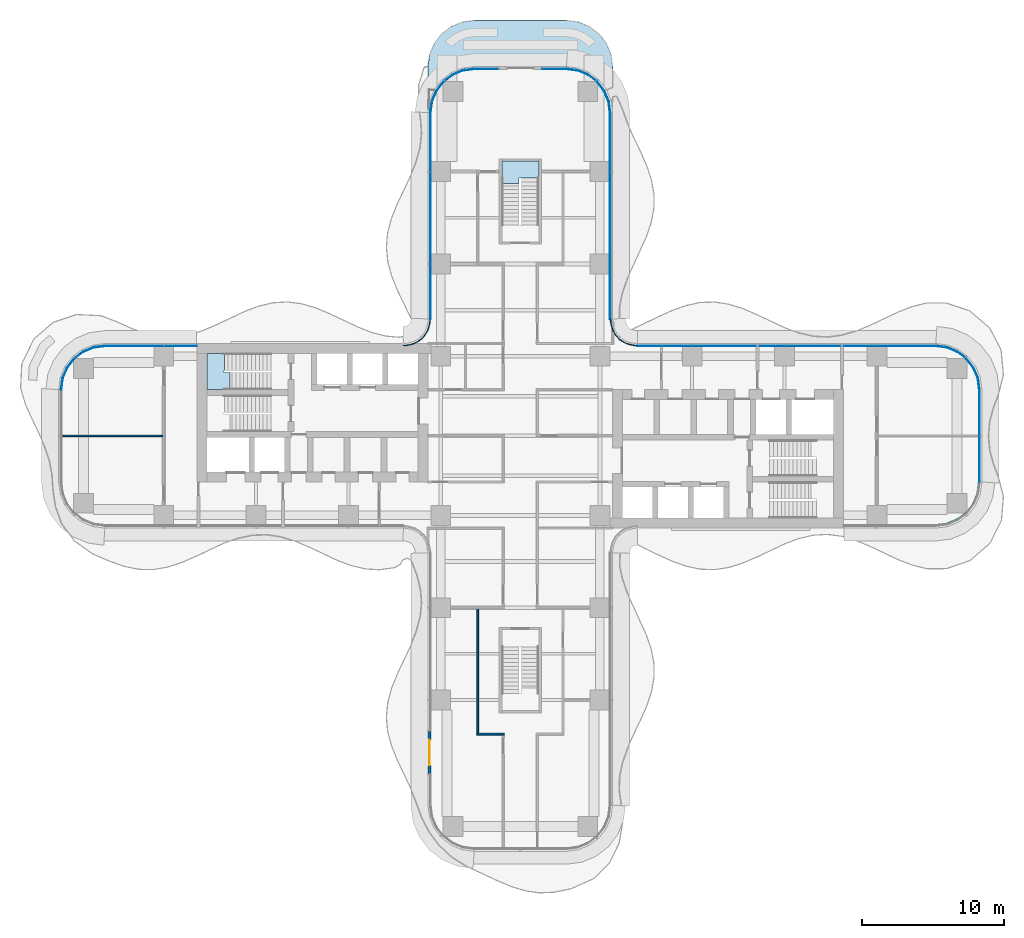
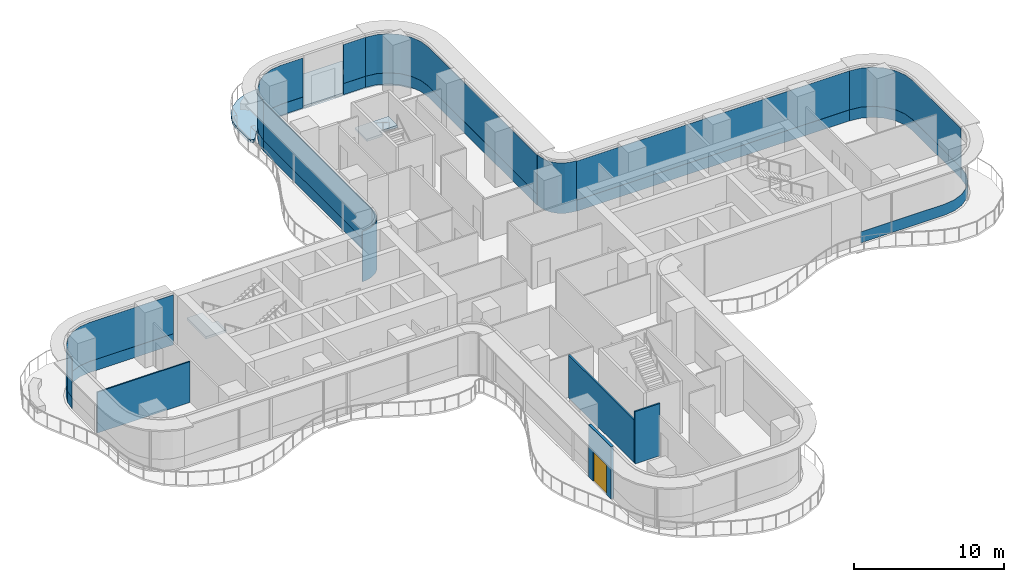
# One storey, part 16 of 22: 17 plates, 4 walls, 3 slabs, 1 door, 1 opening, 12 elements without a shape of their own.
"""IFC4 building model written with IfcOpenShell, lengths in metres."""

from ifc_helpers import new_model, si_unit, direction, frame, frame_2d, origin, place, context, subcontext, project, spatial, polyline, rectangle, outline, extrude, source, transform, mapped, material, layer, layer_set, type_object, element, fill, aggregate, save


model = new_model("IFC4")

# Units and contexts
model_context = context("Model", 3, precision=1e-05, world=origin(), true_north=direction((0.0, 1.0)))
body_context = subcontext(model_context, "Body", "Model", "MODEL_VIEW")
ifc_project = project(units=[si_unit("LENGTHUNIT", "METRE"), si_unit("AREAUNIT", "SQUARE_METRE"), si_unit("VOLUMEUNIT", "CUBIC_METRE"), si_unit("PLANEANGLEUNIT", "RADIAN"), si_unit("MASSUNIT", "GRAM", prefix="KILO")], contexts=[model_context])

# Site, building, storey
site_placement = place(None, origin())
site = spatial("IfcSite", under=ifc_project, at=site_placement, CompositionType="ELEMENT")
building_placement = place(site_placement, origin())
building = spatial("IfcBuilding", under=site, at=building_placement, Name="Trellis Farm Tower", CompositionType="ELEMENT")
storey_placement = place(building_placement, frame((0.0, 0.0, 61.0)))
storey = spatial("IfcBuildingStorey", under=building, at=storey_placement, Name="L12", CompositionType="ELEMENT", Elevation=61.0)

# Slab
ifc_material_1 = material(Name="Concrete C40/50", Category="concrete")
ifc_layer_1 = layer(ifc_material_1, 0.25)
ifc_layer_set_1 = layer_set([ifc_layer_1], Name="Terrace slab on composite deck 250")
slab_type_1 = type_object("IfcSlabType", Name="Terrace slab on composite deck 250", PredefinedType="FLOOR", material=ifc_layer_set_1)
slab_1_placement = place(storey_placement, frame((0.0, 0.0, -0.25)))
element("IfcSlab", 1, at=slab_1_placement, inside=storey, type_object=slab_type_1, Name="Terrace slab", PredefinedType="FLOOR", context=body_context, shape_type="SweptSolid", body=[
    extrude(outline(polyline([(-6.4189453125, 24.359619140625), (-6.5, 24.5439453125), (-6.5, 25.983642578125), (-6.497802734375, 26.01611328125), (-6.3935546875, 26.80859375), (-6.376708984375, 26.87158203125), (-6.0771484375, 27.594482421875), (-6.04443359375, 27.651123046875), (-5.568115234375, 28.27197265625), (-5.52197265625, 28.318115234375), (-4.901123046875, 28.79443359375), (-4.844482421875, 28.8271484375), (-4.12158203125, 29.126708984375), (-4.05859375, 29.1435546875), (-3.26611328125, 29.247802734375), (-3.233642578125, 29.25), (3.233642578125, 29.25), (3.26611328125, 29.247802734375), (4.05859375, 29.1435546875), (4.12158203125, 29.126708984375), (4.844482421875, 28.8271484375), (4.901123046875, 28.79443359375), (5.52197265625, 28.318115234375), (5.568115234375, 28.27197265625), (6.04443359375, 27.651123046875), (6.0771484375, 27.594482421875), (6.376708984375, 26.87158203125), (6.3935546875, 26.80859375), (6.497802734375, 26.01611328125), (6.5, 25.983642578125), (6.5, 24.5439453125), (6.4189453125, 24.359619140625), (6.228271484375, 24.294921875), (6.052978515625, 24.39111328125), (5.548583984375, 25.048583984375), (4.875244140625, 25.565185546875), (4.09130859375, 25.889892578125), (3.25, 26.00048828125), (-3.25, 26.00048828125), (-4.09130859375, 25.889892578125), (-4.875244140625, 25.565185546875), (-5.548583984375, 25.048583984375), (-6.052978515625, 24.39111328125), (-6.228271484375, 24.294921875), (-6.4189453125, 24.359619140625)])), origin(), (0.0, 0.0, 1.0), 0.25),
])

# Stair, slab
ifc_material_2 = material(Name="Concrete C50/60", Category="concrete")
stair_type = type_object("IfcStairType", Name="CORE EXIT STAIR 26 RISERS 173 MM", PredefinedType="HALF_TURN_STAIR", material=ifc_material_2)
placement_1 = place(storey_placement, origin())
stair_1 = element("IfcStair", 2, at=placement_1, inside=storey, type_object=stair_type, Name="Exit stair N", PredefinedType="HALF_TURN_STAIR")
ifc_layer_2 = layer(ifc_material_2, 0.18994140625)
ifc_layer_set_2 = layer_set([ifc_layer_2], Name="CORE STAIR LANDING 190 CONCRETE C50/60")
slab_type_2 = type_object("IfcSlabType", Name="CORE STAIR LANDING 190 CONCRETE C50/60", PredefinedType="LANDING", material=ifc_layer_set_2)
shared_shape_1 = source(origin(), body_context, "Body", "SweptSolid", [
    extrude(outline(polyline([(-0.10009765625, 17.753173828125), (-1.300048828125, 17.753173828125), (-1.300048828125, 18.14990234375), (-1.300048828125, 19.35009765625), (1.300048828125, 19.35009765625), (1.300048828125, 18.14990234375), (1.300048828125, 18.139892578125), (0.10009765625, 18.139892578125), (0.10009765625, 18.14990234375), (-0.10009765625, 18.14990234375), (-0.10009765625, 17.753173828125)])), origin(), (0.0, 0.0, 1.0), 0.18994140625),
])
placement_2 = place(storey_placement, frame((0.0, 0.0, 2.06005859375)))
slab_2 = element("IfcSlab", 3, at=placement_2, type_object=slab_type_2, Name="STN landing 1", PredefinedType="LANDING", context=body_context, shape_type="MappedRepresentation", body=[
    mapped(shared_shape_1, transform((0.0, 0.0, 0.0))),
])
aggregate(stair_1, [slab_2])

stair_2 = element("IfcStair", 4, at=placement_1, inside=storey, type_object=stair_type, Name="Exit stair W1", PredefinedType="HALF_TURN_STAIR")
shared_shape_2 = source(origin(), body_context, "Body", "SweptSolid", [
    extrude(outline(polyline([(-20.453125, 4.449951171875), (-20.453125, 3.25), (-20.85009765625, 3.25), (-22.050048828125, 3.25), (-22.050048828125, 5.800048828125), (-20.85009765625, 5.800048828125), (-20.840087890625, 5.800048828125), (-20.840087890625, 4.60009765625), (-20.85009765625, 4.60009765625), (-20.85009765625, 4.449951171875), (-20.453125, 4.449951171875)])), origin(), (0.0, 0.0, 1.0), 0.18994140625),
])
slab_3 = element("IfcSlab", 5, at=placement_2, type_object=slab_type_2, Name="STW1 landing 1", PredefinedType="LANDING", context=body_context, shape_type="MappedRepresentation", body=[
    mapped(shared_shape_2, transform((0.0, 0.0, 0.0))),
])
aggregate(stair_2, [slab_3])

# Curtain wall, plate
ifc_material_3 = material(Name="Aluminium and glass curtain wall", Category="aluminium")
ifc_layer_3 = layer(ifc_material_3, 0.18994140625)
ifc_layer_set_3 = layer_set([ifc_layer_3], Name="RIBBON CURTAIN WALL CW1")
curtain_wall_type_1 = type_object("IfcCurtainWallType", Name="RIBBON CURTAIN WALL CW1", PredefinedType="NOTDEFINED", material=ifc_layer_set_3)
curtain_wall_1 = element("IfcCurtainWall", 6, at=placement_1, inside=storey, type_object=curtain_wall_type_1, Name="CW1 006", PredefinedType="NOTDEFINED")
ifc_material_4 = material(Name="Sandstone faced insulated panel", Category="masonry")
ifc_layer_4 = layer(ifc_material_4, 0.050048828125)
ifc_layer_set_4 = layer_set([ifc_layer_4], Name="CW1 STONE SPANDREL PANEL 50")
plate_type_1 = type_object("IfcPlateType", Name="CW1 STONE SPANDREL PANEL 50", PredefinedType="CURTAIN_PANEL", material=ifc_layer_set_4)
shared_shape_3 = source(origin(), body_context, "Body", "SweptSolid", [
    extrude(outline(polyline([(22.780029296875, -6.35009765625), (29.240234375, -6.35009765625), (30.052001953125, -6.2431640625), (30.79931640625, -5.93359375), (31.441162109375, -5.441162109375), (31.93359375, -4.79931640625), (32.2431640625, -4.052001953125), (32.35009765625, -3.240234375), (32.300048828125, -3.23681640625), (32.1943359375, -4.0390625), (31.889892578125, -4.774169921875), (31.405517578125, -5.405517578125), (30.774169921875, -5.889892578125), (30.0390625, -6.1943359375), (29.23681640625, -6.300048828125), (22.780029296875, -6.300048828125), (22.780029296875, -6.35009765625)])), origin(), (0.0, 0.0, 1.0), 0.89990234375),
])
plate_1 = element("IfcPlate", 7, at=placement_1, type_object=plate_type_1, Name="PS1 006", PredefinedType="CURTAIN_PANEL", context=body_context, shape_type="MappedRepresentation", body=[
    mapped(shared_shape_3, transform((0.0, 0.0, 0.0))),
])
aggregate(curtain_wall_1, [plate_1])

# Curtain wall, plates
curtain_wall_2 = element("IfcCurtainWall", 8, at=placement_1, inside=storey, type_object=curtain_wall_type_1, Name="CW1 008", PredefinedType="NOTDEFINED")
ifc_material_5 = material(Name="Clear insulated glass", Category="glass")
ifc_layer_5 = layer(ifc_material_5, 0.0400390625)
ifc_layer_set_5 = layer_set([ifc_layer_5], Name="CW1 GLASS PANEL 40")
plate_type_2 = type_object("IfcPlateType", Name="CW1 GLASS PANEL 40", PredefinedType="CURTAIN_PANEL", material=ifc_layer_set_5)
shared_shape_4 = source(origin(), body_context, "Body", "SweptSolid", [
    extrude(outline(polyline([(29.240234375, 6.35009765625), (8.2265625, 6.35009765625), (8.22509765625, 6.31005859375), (29.237548828125, 6.31005859375), (29.240234375, 6.35009765625)])), origin(), (0.0, 0.0, 1.0), 3.170166015625),
])
placement_3 = place(storey_placement, frame((0.0, 0.0, 0.89990234375)))
plate_2 = element("IfcPlate", 9, at=placement_3, type_object=plate_type_2, Name="PL1 008", PredefinedType="CURTAIN_PANEL", context=body_context, shape_type="MappedRepresentation", body=[
    mapped(shared_shape_4, transform((0.0, 0.0, 0.0))),
])
shared_shape_5 = source(origin(), body_context, "Body", "SweptSolid", [
    extrude(outline(polyline([(29.240234375, 6.35009765625), (8.2265625, 6.35009765625), (8.224853515625, 6.300048828125), (29.23681640625, 6.300048828125), (29.240234375, 6.35009765625)])), origin(), (0.0, 0.0, 1.0), 0.89990234375),
])
plate_3 = element("IfcPlate", 10, at=placement_1, type_object=plate_type_1, Name="PS1 008", PredefinedType="CURTAIN_PANEL", context=body_context, shape_type="MappedRepresentation", body=[
    mapped(shared_shape_5, transform((0.0, 0.0, 0.0))),
])
aggregate(curtain_wall_2, [plate_2, plate_3])

# Curtain wall, plate
ifc_layer_6 = layer(ifc_material_3, 0.166015625)
ifc_layer_set_6 = layer_set([ifc_layer_6], Name="WINTER GARDEN CURTAIN WALL CW3")
curtain_wall_type_2 = type_object("IfcCurtainWallType", Name="WINTER GARDEN CURTAIN WALL CW3", PredefinedType="NOTDEFINED", material=ifc_layer_set_6)
curtain_wall_3 = element("IfcCurtainWall", 11, at=placement_1, inside=storey, type_object=curtain_wall_type_2, Name="CW3 003", PredefinedType="NOTDEFINED")
ifc_layer_7 = layer(ifc_material_5, 0.0458984375)
ifc_layer_set_7 = layer_set([ifc_layer_7], Name="CW3 GLASS PANEL 46")
plate_type_3 = type_object("IfcPlateType", Name="CW3 GLASS PANEL 46", PredefinedType="CURTAIN_PANEL", material=ifc_layer_set_7)
shared_shape_6 = source(origin(), body_context, "Body", "SweptSolid", [
    extrude(outline(polyline([(8.2275390625, 6.3798828125), (8.0078125, 6.394287109375), (7.89208984375, 6.40966796875), (7.462158203125, 6.52490234375), (7.070556640625, 6.7509765625), (6.7509765625, 7.070556640625), (6.52490234375, 7.462158203125), (6.40966796875, 7.89208984375), (6.394287109375, 8.0078125), (6.3798828125, 8.2275390625), (6.333984375, 8.22607421875), (6.3486328125, 8.003173828125), (6.364501953125, 7.883056640625), (6.48193359375, 7.4443359375), (6.714111328125, 7.04248046875), (7.04248046875, 6.714111328125), (7.4443359375, 6.48193359375), (7.883056640625, 6.364501953125), (8.003173828125, 6.3486328125), (8.22607421875, 6.333984375), (8.2275390625, 6.3798828125)])), origin(), (0.0, 0.0, 1.0), 4.10009765625),
])
plate_4 = element("IfcPlate", 12, at=placement_1, type_object=plate_type_3, Name="PL3 003", PredefinedType="CURTAIN_PANEL", context=body_context, shape_type="MappedRepresentation", body=[
    mapped(shared_shape_6, transform((0.0, 0.0, 0.0))),
])
aggregate(curtain_wall_3, [plate_4])

curtain_wall_4 = element("IfcCurtainWall", 13, at=placement_1, inside=storey, type_object=curtain_wall_type_2, Name="CW3 004", PredefinedType="NOTDEFINED")
shared_shape_7 = source(origin(), body_context, "Body", "SweptSolid", [
    extrude(outline(polyline([(-6.3798828125, 8.2275390625), (-6.394287109375, 8.0078125), (-6.40966796875, 7.89208984375), (-6.52490234375, 7.462158203125), (-6.7509765625, 7.070556640625), (-7.070556640625, 6.7509765625), (-7.462158203125, 6.52490234375), (-7.89208984375, 6.40966796875), (-8.0078125, 6.394287109375), (-8.2275390625, 6.3798828125), (-8.22607421875, 6.333984375), (-8.003173828125, 6.3486328125), (-7.883056640625, 6.364501953125), (-7.4443359375, 6.48193359375), (-7.04248046875, 6.714111328125), (-6.714111328125, 7.04248046875), (-6.48193359375, 7.4443359375), (-6.364501953125, 7.883056640625), (-6.3486328125, 8.003173828125), (-6.333984375, 8.22607421875), (-6.3798828125, 8.2275390625)])), origin(), (0.0, 0.0, 1.0), 4.10009765625),
])
plate_5 = element("IfcPlate", 14, at=placement_1, type_object=plate_type_3, Name="PL3 004", PredefinedType="CURTAIN_PANEL", context=body_context, shape_type="MappedRepresentation", body=[
    mapped(shared_shape_7, transform((0.0, 0.0, 0.0))),
])
aggregate(curtain_wall_4, [plate_5])

# Curtain wall, plates
curtain_wall_5 = element("IfcCurtainWall", 15, at=placement_1, inside=storey, type_object=curtain_wall_type_1, Name="CW1 013", PredefinedType="NOTDEFINED")
shared_shape_8 = source(origin(), body_context, "Body", "SweptSolid", [
    extrude(outline(polyline([(-22.780029296875, 6.35009765625), (-29.240234375, 6.35009765625), (-30.052001953125, 6.2431640625), (-30.79931640625, 5.93359375), (-31.441162109375, 5.441162109375), (-31.93359375, 4.79931640625), (-32.2431640625, 4.052001953125), (-32.35009765625, 3.240234375), (-32.31005859375, 3.237548828125), (-32.2041015625, 4.04150390625), (-31.898681640625, 4.779296875), (-31.41259765625, 5.41259765625), (-30.779296875, 5.898681640625), (-30.04150390625, 6.2041015625), (-29.237548828125, 6.31005859375), (-22.780029296875, 6.31005859375), (-22.780029296875, 6.35009765625)])), origin(), (0.0, 0.0, 1.0), 3.170166015625),
])
plate_6 = element("IfcPlate", 16, at=placement_3, type_object=plate_type_2, Name="PL1 013", PredefinedType="CURTAIN_PANEL", context=body_context, shape_type="MappedRepresentation", body=[
    mapped(shared_shape_8, transform((0.0, 0.0, 0.0))),
])
shared_shape_9 = source(origin(), body_context, "Body", "SweptSolid", [
    extrude(outline(polyline([(-22.780029296875, 6.35009765625), (-29.240234375, 6.35009765625), (-30.052001953125, 6.2431640625), (-30.79931640625, 5.93359375), (-31.441162109375, 5.441162109375), (-31.93359375, 4.79931640625), (-32.2431640625, 4.052001953125), (-32.35009765625, 3.240234375), (-32.300048828125, 3.23681640625), (-32.1943359375, 4.0390625), (-31.889892578125, 4.774169921875), (-31.405517578125, 5.405517578125), (-30.774169921875, 5.889892578125), (-30.0390625, 6.1943359375), (-29.23681640625, 6.300048828125), (-22.780029296875, 6.300048828125), (-22.780029296875, 6.35009765625)])), origin(), (0.0, 0.0, 1.0), 0.89990234375),
])
plate_7 = element("IfcPlate", 17, at=placement_1, type_object=plate_type_1, Name="PS1 013", PredefinedType="CURTAIN_PANEL", context=body_context, shape_type="MappedRepresentation", body=[
    mapped(shared_shape_9, transform((0.0, 0.0, 0.0))),
])
aggregate(curtain_wall_5, [plate_6, plate_7])

curtain_wall_6 = element("IfcCurtainWall", 18, at=placement_1, inside=storey, type_object=curtain_wall_type_1, Name="CW1 007", PredefinedType="NOTDEFINED")
shared_shape_10 = source(origin(), body_context, "Body", "SweptSolid", [
    extrude(outline(polyline([(32.35009765625, -3.240234375), (32.35009765625, 3.240234375), (32.2431640625, 4.052001953125), (31.93359375, 4.79931640625), (31.441162109375, 5.441162109375), (30.79931640625, 5.93359375), (30.052001953125, 6.2431640625), (29.240234375, 6.35009765625), (29.237548828125, 6.31005859375), (30.04150390625, 6.2041015625), (30.779296875, 5.898681640625), (31.41259765625, 5.41259765625), (31.898681640625, 4.779296875), (32.2041015625, 4.04150390625), (32.31005859375, 3.237548828125), (32.31005859375, -3.237548828125), (32.35009765625, -3.240234375)])), origin(), (0.0, 0.0, 1.0), 3.170166015625),
])
plate_8 = element("IfcPlate", 19, at=placement_3, type_object=plate_type_2, Name="PL1 007", PredefinedType="CURTAIN_PANEL", context=body_context, shape_type="MappedRepresentation", body=[
    mapped(shared_shape_10, transform((0.0, 0.0, 0.0))),
])
shared_shape_11 = source(origin(), body_context, "Body", "SweptSolid", [
    extrude(outline(polyline([(32.35009765625, -3.240234375), (32.35009765625, 3.240234375), (32.2431640625, 4.052001953125), (31.93359375, 4.79931640625), (31.441162109375, 5.441162109375), (30.79931640625, 5.93359375), (30.052001953125, 6.2431640625), (29.240234375, 6.35009765625), (29.23681640625, 6.300048828125), (30.0390625, 6.1943359375), (30.774169921875, 5.889892578125), (31.405517578125, 5.405517578125), (31.889892578125, 4.774169921875), (32.1943359375, 4.0390625), (32.300048828125, 3.23681640625), (32.300048828125, -3.23681640625), (32.35009765625, -3.240234375)])), origin(), (0.0, 0.0, 1.0), 0.89990234375),
])
plate_9 = element("IfcPlate", 20, at=placement_1, type_object=plate_type_1, Name="PS1 007", PredefinedType="CURTAIN_PANEL", context=body_context, shape_type="MappedRepresentation", body=[
    mapped(shared_shape_11, transform((0.0, 0.0, 0.0))),
])
aggregate(curtain_wall_6, [plate_8, plate_9])

curtain_wall_7 = element("IfcCurtainWall", 21, at=placement_1, inside=storey, type_object=curtain_wall_type_1, Name="CW1 009", PredefinedType="NOTDEFINED")
shared_shape_12 = source(origin(), body_context, "Body", "SweptSolid", [
    extrude(outline(polyline([(6.35009765625, 8.2265625), (6.35009765625, 22.740234375), (6.2431640625, 23.552001953125), (5.93359375, 24.29931640625), (5.441162109375, 24.941162109375), (4.79931640625, 25.43359375), (4.052001953125, 25.7431640625), (3.240234375, 25.85009765625), (3.237548828125, 25.81005859375), (4.04150390625, 25.7041015625), (4.779296875, 25.398681640625), (5.41259765625, 24.91259765625), (5.898681640625, 24.279296875), (6.2041015625, 23.54150390625), (6.31005859375, 22.737548828125), (6.31005859375, 8.22509765625), (6.35009765625, 8.2265625)])), origin(), (0.0, 0.0, 1.0), 3.170166015625),
])
plate_10 = element("IfcPlate", 22, at=placement_3, type_object=plate_type_2, Name="PL1 009", PredefinedType="CURTAIN_PANEL", context=body_context, shape_type="MappedRepresentation", body=[
    mapped(shared_shape_12, transform((0.0, 0.0, 0.0))),
])
shared_shape_13 = source(origin(), body_context, "Body", "SweptSolid", [
    extrude(outline(polyline([(6.35009765625, 8.2265625), (6.35009765625, 22.740234375), (6.2431640625, 23.552001953125), (5.93359375, 24.29931640625), (5.441162109375, 24.941162109375), (4.79931640625, 25.43359375), (4.052001953125, 25.7431640625), (3.240234375, 25.85009765625), (3.23681640625, 25.800048828125), (4.0390625, 25.6943359375), (4.774169921875, 25.389892578125), (5.405517578125, 24.905517578125), (5.889892578125, 24.274169921875), (6.1943359375, 23.5390625), (6.300048828125, 22.73681640625), (6.300048828125, 8.224853515625), (6.35009765625, 8.2265625)])), origin(), (0.0, 0.0, 1.0), 0.89990234375),
])
plate_11 = element("IfcPlate", 23, at=placement_1, type_object=plate_type_1, Name="PS1 009", PredefinedType="CURTAIN_PANEL", context=body_context, shape_type="MappedRepresentation", body=[
    mapped(shared_shape_13, transform((0.0, 0.0, 0.0))),
])
aggregate(curtain_wall_7, [plate_10, plate_11])

curtain_wall_8 = element("IfcCurtainWall", 24, at=placement_1, inside=storey, type_object=curtain_wall_type_1, Name="CW1 012", PredefinedType="NOTDEFINED")
shared_shape_14 = source(origin(), body_context, "Body", "SweptSolid", [
    extrude(outline(polyline([(-6.35009765625, 22.740234375), (-6.35009765625, 8.2265625), (-6.31005859375, 8.22509765625), (-6.31005859375, 22.737548828125), (-6.35009765625, 22.740234375)])), origin(), (0.0, 0.0, 1.0), 3.170166015625),
])
plate_12 = element("IfcPlate", 25, at=placement_3, type_object=plate_type_2, Name="PL1 012", PredefinedType="CURTAIN_PANEL", context=body_context, shape_type="MappedRepresentation", body=[
    mapped(shared_shape_14, transform((0.0, 0.0, 0.0))),
])
shared_shape_15 = source(origin(), body_context, "Body", "SweptSolid", [
    extrude(outline(polyline([(-6.35009765625, 22.740234375), (-6.35009765625, 8.2265625), (-6.300048828125, 8.224853515625), (-6.300048828125, 22.73681640625), (-6.35009765625, 22.740234375)])), origin(), (0.0, 0.0, 1.0), 0.89990234375),
])
plate_13 = element("IfcPlate", 26, at=placement_1, type_object=plate_type_1, Name="PS1 012", PredefinedType="CURTAIN_PANEL", context=body_context, shape_type="MappedRepresentation", body=[
    mapped(shared_shape_15, transform((0.0, 0.0, 0.0))),
])
aggregate(curtain_wall_8, [plate_12, plate_13])

curtain_wall_9 = element("IfcCurtainWall", 27, at=placement_1, inside=storey, type_object=curtain_wall_type_1, Name="CW1 010", PredefinedType="NOTDEFINED")
shared_shape_16 = source(origin(), body_context, "Body", "SweptSolid", [
    extrude(outline(polyline([(3.240234375, 25.85009765625), (1.56005859375, 25.85009765625), (1.56005859375, 25.81005859375), (3.237548828125, 25.81005859375), (3.240234375, 25.85009765625)])), origin(), (0.0, 0.0, 1.0), 3.170166015625),
])
plate_14 = element("IfcPlate", 28, at=placement_3, type_object=plate_type_2, Name="PL1 010", PredefinedType="CURTAIN_PANEL", context=body_context, shape_type="MappedRepresentation", body=[
    mapped(shared_shape_16, transform((0.0, 0.0, 0.0))),
])
shared_shape_17 = source(origin(), body_context, "Body", "SweptSolid", [
    extrude(outline(polyline([(3.240234375, 25.85009765625), (1.56005859375, 25.85009765625), (1.56005859375, 25.800048828125), (3.23681640625, 25.800048828125), (3.240234375, 25.85009765625)])), origin(), (0.0, 0.0, 1.0), 0.89990234375),
])
plate_15 = element("IfcPlate", 29, at=placement_1, type_object=plate_type_1, Name="PS1 010", PredefinedType="CURTAIN_PANEL", context=body_context, shape_type="MappedRepresentation", body=[
    mapped(shared_shape_17, transform((0.0, 0.0, 0.0))),
])
aggregate(curtain_wall_9, [plate_14, plate_15])

curtain_wall_10 = element("IfcCurtainWall", 30, at=placement_1, inside=storey, type_object=curtain_wall_type_1, Name="CW1 011", PredefinedType="NOTDEFINED")
shared_shape_18 = source(origin(), body_context, "Body", "SweptSolid", [
    extrude(outline(polyline([(-1.56005859375, 25.85009765625), (-3.240234375, 25.85009765625), (-4.052001953125, 25.7431640625), (-4.79931640625, 25.43359375), (-5.441162109375, 24.941162109375), (-5.93359375, 24.29931640625), (-6.2431640625, 23.552001953125), (-6.35009765625, 22.740234375), (-6.31005859375, 22.737548828125), (-6.2041015625, 23.54150390625), (-5.898681640625, 24.279296875), (-5.41259765625, 24.91259765625), (-4.779296875, 25.398681640625), (-4.04150390625, 25.7041015625), (-3.237548828125, 25.81005859375), (-1.56005859375, 25.81005859375), (-1.56005859375, 25.85009765625)])), origin(), (0.0, 0.0, 1.0), 3.170166015625),
])
plate_16 = element("IfcPlate", 31, at=placement_3, type_object=plate_type_2, Name="PL1 011", PredefinedType="CURTAIN_PANEL", context=body_context, shape_type="MappedRepresentation", body=[
    mapped(shared_shape_18, transform((0.0, 0.0, 0.0))),
])
shared_shape_19 = source(origin(), body_context, "Body", "SweptSolid", [
    extrude(outline(polyline([(-1.56005859375, 25.85009765625), (-3.240234375, 25.85009765625), (-4.052001953125, 25.7431640625), (-4.79931640625, 25.43359375), (-5.441162109375, 24.941162109375), (-5.93359375, 24.29931640625), (-6.2431640625, 23.552001953125), (-6.35009765625, 22.740234375), (-6.300048828125, 22.73681640625), (-6.1943359375, 23.5390625), (-5.889892578125, 24.274169921875), (-5.405517578125, 24.905517578125), (-4.774169921875, 25.389892578125), (-4.0390625, 25.6943359375), (-3.23681640625, 25.800048828125), (-1.56005859375, 25.800048828125), (-1.56005859375, 25.85009765625)])), origin(), (0.0, 0.0, 1.0), 0.89990234375),
])
plate_17 = element("IfcPlate", 32, at=placement_1, type_object=plate_type_1, Name="PS1 011", PredefinedType="CURTAIN_PANEL", context=body_context, shape_type="MappedRepresentation", body=[
    mapped(shared_shape_19, transform((0.0, 0.0, 0.0))),
])
aggregate(curtain_wall_10, [plate_16, plate_17])

# Wall, opening, door
ifc_material_6 = material(Name="Sandstone faced insulated wall", Category="masonry")
ifc_layer_8 = layer(ifc_material_6, 0.199951171875)
ifc_layer_set_8 = layer_set([ifc_layer_8], Name="EXTERNAL INFILL WALL 200")
wall_type_1 = type_object("IfcWallType", Name="EXTERNAL INFILL WALL 200", PredefinedType="SOLIDWALL", material=ifc_layer_set_8)
shared_shape_20 = source(origin(), body_context, "Body", "SweptSolid", [
    extrude(rectangle(XDim=3.0, YDim=0.199951171875, at=frame_2d((1.5, 0.0))), origin(), (0.0, 0.0, 1.0), 4.25),
])
wall_1_placement = place(storey_placement, frame((-6.39990234375, -20.800048828125, 0.0), z_axis=(0.0, 0.0, 1.0), x_axis=(0.0, -1.0, 0.0)))
wall_1 = element("IfcWall", 33, at=wall_1_placement, inside=storey, type_object=wall_type_1, Name="EW1 01", PredefinedType="SOLIDWALL", context=body_context, shape_type="MappedRepresentation", body=[
    mapped(shared_shape_20, transform((0.0, 0.0, 0.0))),
])
shared_shape_21 = source(origin(), body_context, "Body", "SweptSolid", [
    extrude(rectangle(XDim=1.800048828125, YDim=2.39990234375, at=frame_2d((0.89990234375, 1.199951171875))), frame((0.0, 0.110107421875, 0.0), z_axis=(0.0, -1.0, 0.0), x_axis=(1.0, 0.0, 0.0)), (0.0, 0.0, 1.0), 0.22021484375),
])
opening_placement = place(wall_1_placement, frame((0.60009765625, 0.0, 0.0)))
opening = element("IfcOpeningElement", 34, at=opening_placement, cuts=wall_1, Name="Opening ED1", PredefinedType="OPENING", context=body_context, shape_type="MappedRepresentation", body=[
    mapped(shared_shape_21, transform((0.0, 0.0, 0.0))),
])
ifc_material_7 = material(Name="Aluminium framed glazed door", Category="aluminium")
door_type = type_object("IfcDoorType", Name="BALCONY DOOR 1800x2400", OperationType="DOUBLE_DOOR_SINGLE_SWING", PredefinedType="DOOR", material=ifc_material_7)
shared_shape_22 = source(origin(), body_context, "Body", "SweptSolid", [
    extrude(rectangle(XDim=1.800048828125, YDim=2.39990234375, at=frame_2d((0.89990234375, 1.199951171875))), frame((0.0, 0.02490234375, 0.0), z_axis=(0.0, -1.0, 0.0), x_axis=(1.0, 0.0, 0.0)), (0.0, 0.0, 1.0), 0.050048828125),
])
door_placement = place(opening_placement, origin())
door = element("IfcDoor", 35, at=door_placement, inside=storey, type_object=door_type, Name="Balcony door", OperationType="DOUBLE_DOOR_SINGLE_SWING", OverallHeight=2.39990234375, OverallWidth=1.800048828125, PredefinedType="DOOR", context=body_context, shape_type="MappedRepresentation", body=[
    mapped(shared_shape_22, transform((0.0, 0.0, 0.0))),
])
fill(opening, door)

# Walls
ifc_material_8 = material(Name="Plasterboard on steel studs", Category="steel")
ifc_layer_9 = layer(ifc_material_8, 0.10009765625)
ifc_layer_set_9 = layer_set([ifc_layer_9], Name="PARTITION 100 STUD EI 30")
wall_type_2 = type_object("IfcWallType", Name="PARTITION 100 STUD EI 30", PredefinedType="PARTITIONING", material=ifc_layer_set_9)
shared_shape_23 = source(origin(), body_context, "Body", "SweptSolid", [
    extrude(rectangle(XDim=7.137451171875, YDim=0.10009765625, at=frame_2d((3.56884765625, 0.0))), origin(), (0.0, 0.0, 1.0), 3.330078125),
])
wall_2_placement = place(storey_placement, frame((-32.300048828125, 0.0, 0.0), z_axis=(0.0, 0.0, 1.0), x_axis=(1.0, 0.0, 0.0)))
element("IfcWall", 36, at=wall_2_placement, inside=storey, type_object=wall_type_2, Name="Partition PW2", PredefinedType="PARTITIONING", context=body_context, shape_type="MappedRepresentation", body=[
    mapped(shared_shape_23, transform((0.0, 0.0, 0.0))),
])
ifc_material_9 = material(Name="Plasterboard on steel studs, mineral wool", Category="steel")
ifc_layer_10 = layer(ifc_material_9, 0.125)
ifc_layer_set_10 = layer_set([ifc_layer_10], Name="PARTITION 125 STUD EI 60")
wall_type_3 = type_object("IfcWallType", Name="PARTITION 125 STUD EI 60", PredefinedType="PARTITIONING", material=ifc_layer_set_10)
shared_shape_24 = source(origin(), body_context, "Body", "SweptSolid", [
    extrude(rectangle(XDim=1.925048828125, YDim=0.125, at=frame_2d((0.96240234375, 0.0))), origin(), (0.0, 0.0, 1.0), 4.25),
])
wall_3_placement = place(storey_placement, frame((-1.137451171875, -21.0, 0.0), z_axis=(0.0, 0.0, 1.0), x_axis=(-1.0, 0.0, 0.0)))
element("IfcWall", 37, at=wall_3_placement, inside=storey, type_object=wall_type_3, Name="Partition PW1", PredefinedType="PARTITIONING", context=body_context, shape_type="MappedRepresentation", body=[
    mapped(shared_shape_24, transform((0.0, 0.0, 0.0))),
])
shared_shape_25 = source(origin(), body_context, "Body", "SweptSolid", [
    extrude(rectangle(XDim=8.78759765625, YDim=0.125, at=frame_2d((4.393798828125, 0.0))), origin(), (0.0, 0.0, 1.0), 3.4677734375),
])
wall_4_placement = place(storey_placement, frame((-3.0, -20.9375, 0.0), z_axis=(0.0, 0.0, 1.0), x_axis=(0.0, 1.0, 0.0)))
element("IfcWall", 38, at=wall_4_placement, inside=storey, type_object=wall_type_3, Name="Partition PW1", PredefinedType="PARTITIONING", context=body_context, shape_type="MappedRepresentation", body=[
    mapped(shared_shape_25, transform((0.0, 0.0, 0.0))),
])

save(model, "model.ifc")
